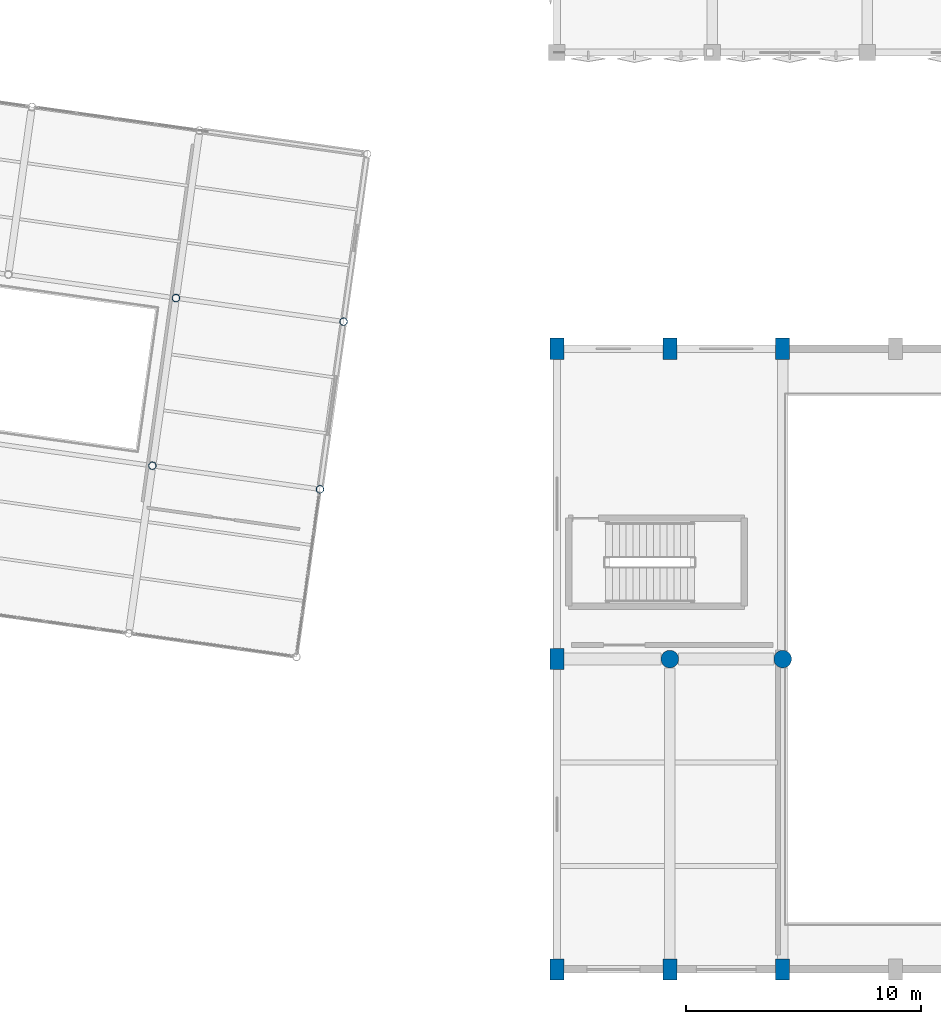
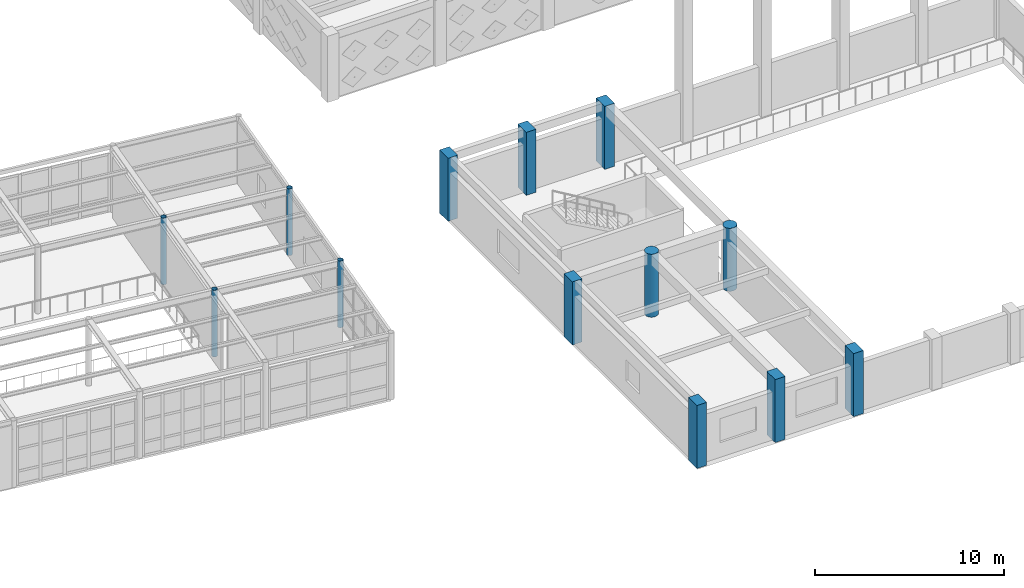
# One storey, part 6 of 80: 13 columns.
"""IFC4 building model written with IfcOpenShell, lengths in metres."""

from ifc_helpers import new_model, si_unit, direction, frame, origin, origin_2d, place, context, subcontext, project, spatial, rectangle, circle, hollow_circle, extrude, material, material_profile, profile_set, type_object, element, save


model = new_model("IFC4")

# Units and contexts
model_context = context("Model", 3, precision=1e-05, world=origin(), true_north=direction((0.0, 1.0)))
body_context = subcontext(model_context, "Body", "Model", "MODEL_VIEW")
ifc_project = project(units=[si_unit("LENGTHUNIT", "METRE"), si_unit("AREAUNIT", "SQUARE_METRE"), si_unit("VOLUMEUNIT", "CUBIC_METRE"), si_unit("PLANEANGLEUNIT", "RADIAN"), si_unit("MASSUNIT", "GRAM", prefix="KILO")], contexts=[model_context])

# Site, building, storey
site_placement = place(None, origin())
site = spatial("IfcSite", under=ifc_project, at=site_placement, CompositionType="ELEMENT")
building_placement = place(site_placement, origin())
building = spatial("IfcBuilding", under=site, at=building_placement, Name="Kharisveld Research Institute", CompositionType="ELEMENT")
storey_placement = place(building_placement, frame((0.0, 0.0, 5.10009765625)))
storey = spatial("IfcBuildingStorey", under=building, at=storey_placement, Name="L01", CompositionType="ELEMENT", Elevation=5.10009765625)

# Columns
ifc_material_1 = material(Name="Concrete C40/50", Category="concrete")
ifc_material_profile_1 = material_profile(ifc_material_1, rectangle(XDim=0.60009765625, YDim=0.89990234375, at=origin_2d()))
ifc_profile_set_1 = profile_set([ifc_material_profile_1], Name="Concrete C40/50")
column_type_1 = type_object("IfcColumnType", Name="COL_RC_600x900", PredefinedType="COLUMN", material=ifc_profile_set_1)
for number, where, z_axis, x_axis, name in (
    (1, (114.60009765625, 0.199951171875, 0.0), (0.0, 0.0, 1.0), (1.0, 0.0, 0.0), "COL:V5:L01:U0V0"),
    (2, (114.60009765625, 13.39990234375, 0.0), (0.0, 0.0, 1.0), (1.0, 0.0, 0.0), "COL:V5:L01:U0V1"),
    (3, (114.60009765625, 26.60009765625, 0.0), (0.0, 0.0, 1.0), (1.0, 0.0, 0.0), "COL:V5:L01:U0V2"),
    (4, (119.39990234375, 0.199951171875, 0.0), (0.0, 0.0, 1.0), (1.0, 0.0, 0.0), "COL:V5:L01:U1V0"),
    (5, (119.39990234375, 26.60009765625, 0.0), (0.0, 0.0, 1.0), (1.0, 0.0, 0.0), "COL:V5:L01:U1V2"),
    (6, (124.199951171875, 0.199951171875, 0.0), (0.0, 0.0, 1.0), (1.0, 0.0, 0.0), "COL:V5:L01:U2V0"),
    (7, (124.199951171875, 26.60009765625, 0.0), (0.0, 0.0, 1.0), (1.0, 0.0, 0.0), "COL:V5:L01:U2V2"),
):
    element("IfcColumn", number, at=place(storey_placement, frame(where, z_axis=z_axis, x_axis=x_axis)), inside=storey, type_object=column_type_1, Name=name, PredefinedType="COLUMN", context=body_context, shape_type="SweptSolid", body=[
        extrude(rectangle(XDim=0.60009765625, YDim=0.89990234375, at=origin_2d()), origin(), (0.0, 0.0, 1.0), 4.079833984375),
    ])
ifc_material_2 = material(Name="Concrete C40/50", Category="concrete")
ifc_material_profile_2 = material_profile(ifc_material_2, circle(Radius=0.375, at=origin_2d()))
ifc_profile_set_2 = profile_set([ifc_material_profile_2], Name="Concrete C40/50")
column_type_2 = type_object("IfcColumnType", Name="COL_RC_D750", PredefinedType="COLUMN", material=ifc_profile_set_2)
for number, where, z_axis, x_axis, name in (
    (8, (119.39990234375, 13.39990234375, 0.0), (0.0, 0.0, 1.0), (1.0, 0.0, 0.0), "COL:V5:L01:U1V1"),
    (9, (124.199951171875, 13.39990234375, 0.0), (0.0, 0.0, 1.0), (1.0, 0.0, 0.0), "COL:V5:L01:U2V1"),
):
    element("IfcColumn", number, at=place(storey_placement, frame(where, z_axis=z_axis, x_axis=x_axis)), inside=storey, type_object=column_type_2, Name=name, PredefinedType="COLUMN", context=body_context, shape_type="SweptSolid", body=[
        extrude(circle(Radius=0.375, at=origin_2d()), origin(), (0.0, 0.0, 1.0), 4.079833984375),
    ])
ifc_material_3 = material(Name="Steel S355J2H", Category="steel")
ifc_material_profile_3 = material_profile(ifc_material_3, hollow_circle(Radius=0.161865234375, WallThickness=0.012451171875, at=origin_2d()))
ifc_profile_set_3 = profile_set([ifc_material_profile_3], Name="Steel S355J2H")
column_type_3 = type_object("IfcColumnType", Name="COL_ST_CHS324", PredefinedType="COLUMN", material=ifc_profile_set_3)
for number, where, z_axis, x_axis, name in (
    (10, (97.391845703125, 21.623779296875, 0.0), (0.0, 0.0, 1.0), (0.990268068742, -0.13917310096, 0.0), "COL:V4:L01:U3V1"),
    (11, (98.393798828125, 28.753662109375, 0.0), (0.0, 0.0, 1.0), (0.990268068742, -0.13917310096, 0.0), "COL:V4:L01:U3V2"),
    (12, (104.521728515625, 20.621826171875, 0.0), (0.0, 0.0, 1.0), (0.990268068742, -0.13917310096, 0.0), "COL:V4:L01:U4V1"),
    (13, (105.52392578125, 27.751708984375, 0.0), (0.0, 0.0, 1.0), (0.990268068742, -0.13917310096, 0.0), "COL:V4:L01:U4V2"),
):
    element("IfcColumn", number, at=place(storey_placement, frame(where, z_axis=z_axis, x_axis=x_axis)), inside=storey, type_object=column_type_3, Name=name, PredefinedType="COLUMN", context=body_context, shape_type="SweptSolid", body=[
        extrude(hollow_circle(Radius=0.161865234375, WallThickness=0.012451171875, at=origin_2d()), origin(), (0.0, 0.0, 1.0), 4.309814453125),
    ])

save(model, "model.ifc")
